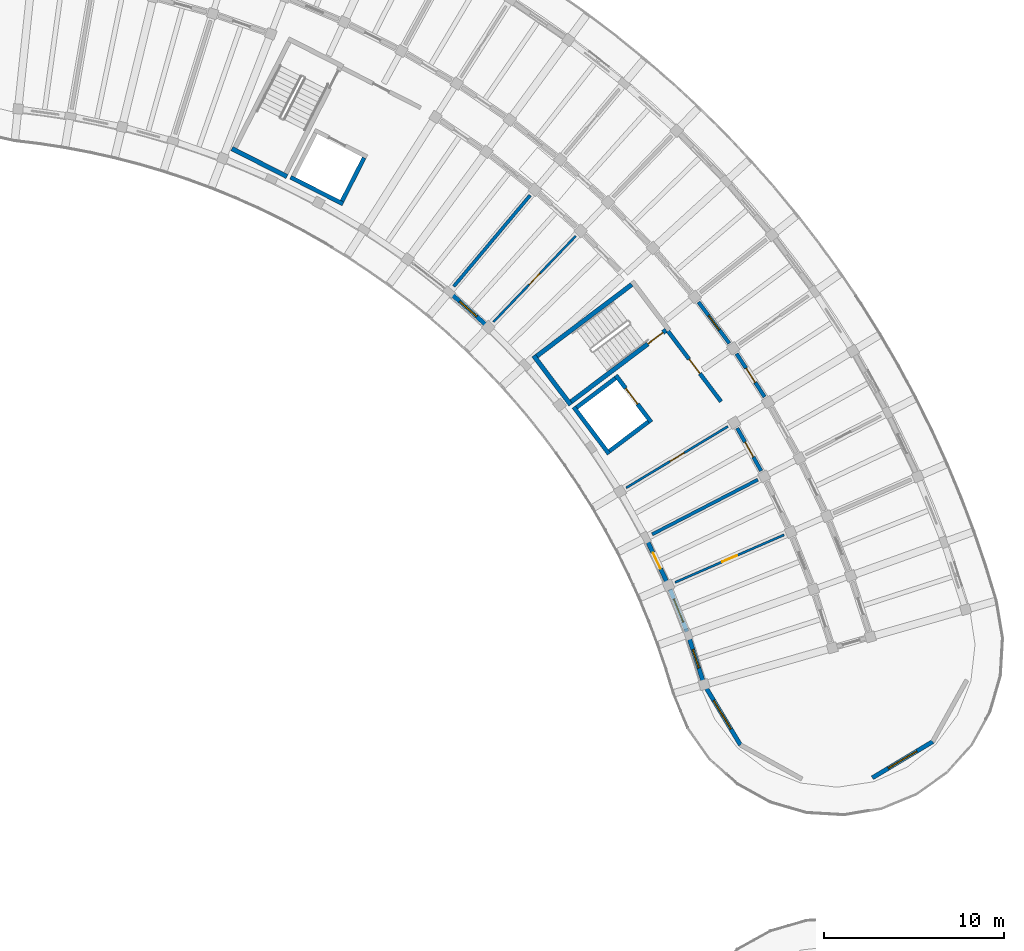
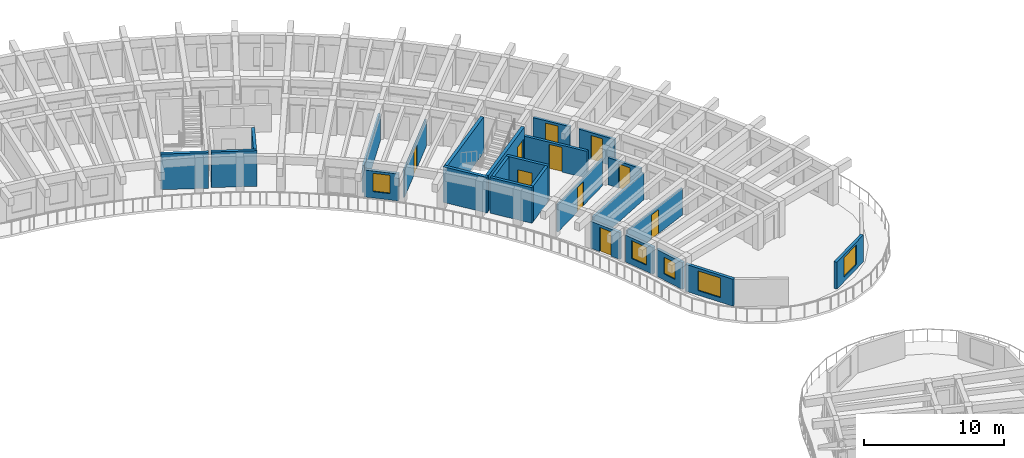
# One storey, part 56 of 81: 25 walls, 10 doors, 5 windows, 15 openings.
"""IFC4 building model written with IfcOpenShell, lengths in metres."""

from ifc_helpers import new_model, si_unit, direction, frame, frame_2d, origin, place, context, subcontext, project, spatial, rectangle, extrude, material, layer, layer_set, type_object, element, fill, save


model = new_model("IFC4")

# Units and contexts
model_context = context("Model", 3, precision=1e-05, world=origin(), true_north=direction((0.0, 1.0)))
body_context = subcontext(model_context, "Body", "Model", "MODEL_VIEW")
ifc_project = project(units=[si_unit("LENGTHUNIT", "METRE"), si_unit("AREAUNIT", "SQUARE_METRE"), si_unit("VOLUMEUNIT", "CUBIC_METRE"), si_unit("PLANEANGLEUNIT", "RADIAN"), si_unit("MASSUNIT", "GRAM", prefix="KILO")], contexts=[model_context])

# Site, building, storey
site_placement = place(None, origin())
site = spatial("IfcSite", under=ifc_project, at=site_placement, CompositionType="ELEMENT")
building_placement = place(site_placement, origin())
building = spatial("IfcBuilding", under=site, at=building_placement, Name="Tanwirah Colonnade Gardens", CompositionType="ELEMENT")
storey_placement = place(building_placement, frame((0.0, 0.0, 8.840087890625)))
storey = spatial("IfcBuildingStorey", under=building, at=storey_placement, Name="L02", CompositionType="ELEMENT", Elevation=8.840087890625)

# Wall, opening, window
ifc_material_1 = material(Name="Limestone architectural precast concrete C40/50", Category="masonry")
ifc_layer_1 = layer(ifc_material_1, 0.239990234375)
ifc_layer_set_1 = layer_set([ifc_layer_1], Name="Limestone architectural precast concrete C40/50")
wall_type_1 = type_object("IfcWallType", Name="EW-PC240", PredefinedType="SOLIDWALL", material=ifc_layer_set_1)
wall_1_placement = place(storey_placement, frame((163.65283203125, 72.685302734375, 0.0), z_axis=(0.0, 0.0, 1.0), x_axis=(-0.30716379336, 0.951656662903, 0.0)))
wall_1 = element("IfcWall", 1, at=wall_1_placement, inside=storey, type_object=wall_type_1, Name="Block B L02 IN Precast Facade Wall 0", PredefinedType="SOLIDWALL", context=body_context, shape_type="SweptSolid", body=[
    extrude(rectangle(XDim=2.525146484375, YDim=0.239990234375, at=frame_2d((1.2626953125, 0.0))), origin(), (0.0, 0.0, 1.0), 2.35498046875),
])
opening_1_placement = place(wall_1_placement, frame((0.72265625, 0.0, 0.550048828125)))
opening_1 = element("IfcOpeningElement", 2, at=opening_1_placement, cuts=wall_1, Name="Opening WIN-T15", PredefinedType="OPENING", context=body_context, shape_type="SweptSolid", body=[
    extrude(rectangle(XDim=1.080078125, YDim=1.449951171875, at=frame_2d((0.5400390625, 0.72509765625))), frame((0.0, 0.1298828125, 0.0), z_axis=(0.0, -1.0, 0.0), x_axis=(1.0, 0.0, 0.0)), (0.0, 0.0, 1.0), 0.260009765625),
])
ifc_material_2 = material(Name="Thermally broken bronze aluminium and solar low-E double glazing", Category="aluminium")
window_type_1 = type_object("IfcWindowType", Name="WIN-T15", PartitioningType="SINGLE_PANEL", PredefinedType="WINDOW", material=ifc_material_2)
window_1_placement = place(opening_1_placement, origin())
window_1 = element("IfcWindow", 3, at=window_1_placement, inside=storey, type_object=window_type_1, Name="Facade window B-L02-IN-00", OverallHeight=1.449951171875, OverallWidth=1.080078125, PartitioningType="SINGLE_PANEL", PredefinedType="WINDOW", context=body_context, shape_type="SweptSolid", body=[
    extrude(rectangle(XDim=1.080078125, YDim=1.449951171875, at=frame_2d((0.5400390625, 0.72509765625))), frame((0.0, 0.030029296875, 0.0), z_axis=(0.0, -1.0, 0.0), x_axis=(1.0, 0.0, 0.0)), (0.0, 0.0, 1.0), 0.06005859375),
])
fill(opening_1, window_1)

wall_2_placement = place(storey_placement, frame((162.768798828125, 75.389404296875, 0.0), z_axis=(0.0, 0.0, 1.0), x_axis=(-0.369122600107, 0.92938071106, 0.0)))
wall_2 = element("IfcWall", 4, at=wall_2_placement, inside=storey, type_object=wall_type_1, Name="Block B L02 IN Precast Facade Wall 1", PredefinedType="SOLIDWALL", context=body_context, shape_type="SweptSolid", body=[
    extrude(rectangle(XDim=2.525146484375, YDim=0.239990234375, at=frame_2d((1.2626953125, 0.0))), origin(), (0.0, 0.0, 1.0), 2.35498046875),
])
opening_2_placement = place(wall_2_placement, frame((0.572509765625, 0.0, 0.550048828125)))
opening_2 = element("IfcOpeningElement", 5, at=opening_2_placement, cuts=wall_2, Name="Opening WIN-T18", PredefinedType="OPENING", context=body_context, shape_type="SweptSolid", body=[
    extrude(rectangle(XDim=1.3798828125, YDim=1.56005859375, at=frame_2d((0.68994140625, 0.780029296875))), frame((0.0, 0.1298828125, 0.0), z_axis=(0.0, -1.0, 0.0), x_axis=(1.0, 0.0, 0.0)), (0.0, 0.0, 1.0), 0.260009765625),
])
window_type_2 = type_object("IfcWindowType", Name="WIN-T18", PartitioningType="DOUBLE_PANEL_VERTICAL", PredefinedType="WINDOW", material=ifc_material_2)
window_2_placement = place(opening_2_placement, origin())
window_2 = element("IfcWindow", 6, at=window_2_placement, inside=storey, type_object=window_type_2, Name="Facade window B-L02-IN-01", OverallHeight=1.56005859375, OverallWidth=1.3798828125, PartitioningType="SINGLE_PANEL", PredefinedType="WINDOW", context=body_context, shape_type="SweptSolid", body=[
    extrude(rectangle(XDim=1.3798828125, YDim=1.56005859375, at=frame_2d((0.68994140625, 0.780029296875))), frame((0.0, 0.030029296875, 0.0), z_axis=(0.0, -1.0, 0.0), x_axis=(1.0, 0.0, 0.0)), (0.0, 0.0, 1.0), 0.06005859375),
])
fill(opening_2, window_2)

# Wall, opening, door
wall_3_placement = place(storey_placement, frame((161.640869140625, 78.18505859375, 0.0), z_axis=(0.0, 0.0, 1.0), x_axis=(-0.429610836066, 0.903014135844, 0.0)))
wall_3 = element("IfcWall", 7, at=wall_3_placement, inside=storey, type_object=wall_type_1, Name="Block B L02 IN Precast Facade Wall 2", PredefinedType="SOLIDWALL", context=body_context, shape_type="SweptSolid", body=[
    extrude(rectangle(XDim=2.525390625, YDim=0.239990234375, at=frame_2d((1.2626953125, 0.0))), origin(), (0.0, 0.0, 1.0), 2.35498046875),
])
opening_3_placement = place(wall_3_placement, frame((0.772705078125, 0.0, 0.0)))
opening_3 = element("IfcOpeningElement", 8, at=opening_3_placement, cuts=wall_3, Name="Opening L02-ED076", PredefinedType="OPENING", context=body_context, shape_type="SweptSolid", body=[
    extrude(rectangle(XDim=0.97998046875, YDim=2.1201171875, at=frame_2d((0.489990234375, 1.06005859375))), frame((0.0, 0.1298828125, 0.0), z_axis=(0.0, -1.0, 0.0), x_axis=(1.0, 0.0, 0.0)), (0.0, 0.0, 1.0), 0.260009765625),
])
ifc_material_3 = material(Name="Bronze aluminium glazed balcony door", Category="aluminium")
door_type_1 = type_object("IfcDoorType", Name="ED-BAL098", OperationType="NOTDEFINED", PredefinedType="DOOR", material=ifc_material_3)
door_1_placement = place(opening_3_placement, origin())
door_1 = element("IfcDoor", 9, at=door_1_placement, inside=storey, type_object=door_type_1, Name="Balcony glazed door L02-ED076", OperationType="SINGLE_SWING_LEFT", OverallHeight=2.1201171875, OverallWidth=0.97998046875, PredefinedType="DOOR", context=body_context, shape_type="SweptSolid", body=[
    extrude(rectangle(XDim=0.97998046875, YDim=2.1201171875, at=frame_2d((0.489990234375, 1.06005859375))), frame((0.0, 0.02490234375, 0.0), z_axis=(0.0, -1.0, 0.0), x_axis=(1.0, 0.0, 0.0)), (0.0, 0.0, 1.0), 0.050048828125),
])
fill(opening_3, door_1)

# Wall, opening, window
wall_4_placement = place(storey_placement, frame((151.571044921875, 92.457763671875, 0.0), z_axis=(0.0, 0.0, 1.0), x_axis=(-0.744489903584, 0.667633719536, 0.0)))
wall_4 = element("IfcWall", 10, at=wall_4_placement, inside=storey, type_object=wall_type_1, Name="Block B L02 IN Precast Facade Wall 8", PredefinedType="SOLIDWALL", context=body_context, shape_type="SweptSolid", body=[
    extrude(rectangle(XDim=2.525390625, YDim=0.239990234375, at=frame_2d((1.2626953125, 0.0))), origin(), (0.0, 0.0, 1.0), 2.35498046875),
])
opening_4_placement = place(wall_4_placement, frame((0.6376953125, 0.0, 0.550048828125)))
opening_4 = element("IfcOpeningElement", 11, at=opening_4_placement, cuts=wall_4, Name="Opening WIN-T03", PredefinedType="OPENING", context=body_context, shape_type="SweptSolid", body=[
    extrude(rectangle(XDim=1.25, YDim=1.60009765625, at=frame_2d((0.625, 0.800048828125))), frame((0.0, 0.1298828125, 0.0), z_axis=(0.0, -1.0, 0.0), x_axis=(1.0, 0.0, 0.0)), (0.0, 0.0, 1.0), 0.260009765625),
])
window_type_3 = type_object("IfcWindowType", Name="WIN-T03", PartitioningType="SINGLE_PANEL", PredefinedType="WINDOW", material=ifc_material_2)
window_3_placement = place(opening_4_placement, origin())
window_3 = element("IfcWindow", 12, at=window_3_placement, inside=storey, type_object=window_type_3, Name="Facade window B-L02-IN-08", OverallHeight=1.60009765625, OverallWidth=1.25, PartitioningType="SINGLE_PANEL", PredefinedType="WINDOW", context=body_context, shape_type="SweptSolid", body=[
    extrude(rectangle(XDim=1.25, YDim=1.60009765625, at=frame_2d((0.625, 0.800048828125))), frame((0.0, 0.030029296875, 0.0), z_axis=(0.0, -1.0, 0.0), x_axis=(1.0, 0.0, 0.0)), (0.0, 0.0, 1.0), 0.06005859375),
])
fill(opening_4, window_3)

wall_5_placement = place(storey_placement, frame((176.41650390625, 69.28857421875, 0.0), z_axis=(0.0, 0.0, 1.0), x_axis=(-0.85715098885, -0.515065221417, 0.0)))
wall_5 = element("IfcWall", 13, at=wall_5_placement, inside=storey, type_object=wall_type_1, Name="Block B L02 START Rounded End Wall 2", PredefinedType="SOLIDWALL", context=body_context, shape_type="SweptSolid", body=[
    extrude(rectangle(XDim=3.908203125, YDim=0.239990234375, at=frame_2d((1.9541015625, 0.0))), origin(), (0.0, 0.0, 1.0), 2.35498046875),
])
opening_5_placement = place(wall_5_placement, frame((1.029052734375, 0.0, 0.39990234375)))
opening_5 = element("IfcOpeningElement", 14, at=opening_5_placement, cuts=wall_5, Name="Opening WIN-END1", PredefinedType="OPENING", context=body_context, shape_type="SweptSolid", body=[
    extrude(rectangle(XDim=1.85009765625, YDim=1.719970703125, at=frame_2d((0.925048828125, 0.85986328125))), frame((0.0, 0.1298828125, 0.0), z_axis=(0.0, -1.0, 0.0), x_axis=(1.0, 0.0, 0.0)), (0.0, 0.0, 1.0), 0.260009765625),
])
window_type_4 = type_object("IfcWindowType", Name="WIN-END1", PartitioningType="TRIPLE_PANEL_VERTICAL", PredefinedType="WINDOW", material=ifc_material_2)
window_4_placement = place(opening_5_placement, origin())
window_4 = element("IfcWindow", 15, at=window_4_placement, inside=storey, type_object=window_type_4, Name="Rounded corner window B-L02-START-2", OverallHeight=1.719970703125, OverallWidth=1.85009765625, PartitioningType="SINGLE_PANEL", PredefinedType="WINDOW", context=body_context, shape_type="SweptSolid", body=[
    extrude(rectangle(XDim=1.85009765625, YDim=1.719970703125, at=frame_2d((0.925048828125, 0.85986328125))), frame((0.0, 0.030029296875, 0.0), z_axis=(0.0, -1.0, 0.0), x_axis=(1.0, 0.0, 0.0)), (0.0, 0.0, 1.0), 0.06005859375),
])
fill(opening_5, window_4)

wall_6_placement = place(storey_placement, frame((165.740966796875, 69.10205078125, 0.0), z_axis=(0.0, 0.0, 1.0), x_axis=(-0.515037642827, 0.857167560324, 0.0)))
wall_6 = element("IfcWall", 16, at=wall_6_placement, inside=storey, type_object=wall_type_1, Name="Block B L02 START Rounded End Wall 5", PredefinedType="SOLIDWALL", context=body_context, shape_type="SweptSolid", body=[
    extrude(rectangle(XDim=3.908447265625, YDim=0.239990234375, at=frame_2d((1.9541015625, 0.0))), origin(), (0.0, 0.0, 1.0), 2.35498046875),
])
opening_6_placement = place(wall_6_placement, frame((1.029052734375, 0.0, 0.39990234375)))
opening_6 = element("IfcOpeningElement", 17, at=opening_6_placement, cuts=wall_6, Name="Opening WIN-END1", PredefinedType="OPENING", context=body_context, shape_type="SweptSolid", body=[
    extrude(rectangle(XDim=1.85009765625, YDim=1.719970703125, at=frame_2d((0.925048828125, 0.85986328125))), frame((0.0, 0.1298828125, 0.0), z_axis=(0.0, -1.0, 0.0), x_axis=(1.0, 0.0, 0.0)), (0.0, 0.0, 1.0), 0.260009765625),
])
window_5_placement = place(opening_6_placement, origin())
window_5 = element("IfcWindow", 18, at=window_5_placement, inside=storey, type_object=window_type_4, Name="Rounded corner window B-L02-START-5", OverallHeight=1.719970703125, OverallWidth=1.85009765625, PartitioningType="SINGLE_PANEL", PredefinedType="WINDOW", context=body_context, shape_type="SweptSolid", body=[
    extrude(rectangle(XDim=1.85009765625, YDim=1.719970703125, at=frame_2d((0.925048828125, 0.85986328125))), frame((0.0, 0.030029296875, 0.0), z_axis=(0.0, -1.0, 0.0), x_axis=(1.0, 0.0, 0.0)), (0.0, 0.0, 1.0), 0.06005859375),
])
fill(opening_6, window_5)

# Wall, opening, door
ifc_material_4 = material(Name="Precast concrete C40/50", Category="concrete")
ifc_layer_2 = layer(ifc_material_4, 0.205078125)
ifc_layer_set_2 = layer_set([ifc_layer_2], Name="Precast concrete C40/50")
wall_type_2 = type_object("IfcWallType", Name="IW-CORR205", PredefinedType="PARTITIONING", material=ifc_layer_set_2)
wall_7_placement = place(storey_placement, frame((166.89013671875, 84.313232421875, 0.0), z_axis=(0.0, 0.0, 1.0), x_axis=(-0.48819576874, 0.872734147025, 0.0)))
wall_7 = element("IfcWall", 19, at=wall_7_placement, inside=storey, type_object=wall_type_2, Name="Block B L02 IN Corridor Wall 3", PredefinedType="PARTITIONING", context=body_context, shape_type="SweptSolid", body=[
    extrude(rectangle(XDim=2.718017578125, YDim=0.205078125, at=frame_2d((1.35888671875, 0.0))), origin(), (0.0, 0.0, 1.0), 2.369873046875),
])
opening_7_placement = place(wall_7_placement, frame((0.884033203125, 0.0, 0.0)))
opening_7 = element("IfcOpeningElement", 20, at=opening_7_placement, cuts=wall_7, Name="Opening L02-AD885", PredefinedType="OPENING", context=body_context, shape_type="SweptSolid", body=[
    extrude(rectangle(XDim=0.949951171875, YDim=2.1298828125, at=frame_2d((0.47509765625, 1.06494140625))), frame((0.0, 0.112548828125, 0.0), z_axis=(0.0, -1.0, 0.0), x_axis=(1.0, 0.0, 0.0)), (0.0, 0.0, 1.0), 0.22509765625),
])
ifc_material_5 = material(Name="Solid oak fire-resisting apartment entrance door")
door_type_2 = type_object("IfcDoorType", Name="ID-FLT095", OperationType="NOTDEFINED", PredefinedType="DOOR", material=ifc_material_5)
door_2_placement = place(opening_7_placement, origin())
door_2 = element("IfcDoor", 21, at=door_2_placement, inside=storey, type_object=door_type_2, Name="Apartment corridor door L02-AD885", OperationType="SINGLE_SWING_LEFT", OverallHeight=2.1298828125, OverallWidth=0.949951171875, PredefinedType="DOOR", context=body_context, shape_type="SweptSolid", body=[
    extrude(rectangle(XDim=0.949951171875, YDim=2.1298828125, at=frame_2d((0.47509765625, 1.06494140625))), frame((0.0, 0.02490234375, 0.0), z_axis=(0.0, -1.0, 0.0), x_axis=(1.0, 0.0, 0.0)), (0.0, 0.0, 1.0), 0.050048828125),
])
fill(opening_7, door_2)

wall_8_placement = place(storey_placement, frame((167.085205078125, 88.421142578125, 0.0), z_axis=(0.0, 0.0, 1.0), x_axis=(-0.544643612649, 0.838667595178, 0.0)))
wall_8 = element("IfcWall", 22, at=wall_8_placement, inside=storey, type_object=wall_type_2, Name="Block B L02 OUT Corridor Wall 4", PredefinedType="PARTITIONING", context=body_context, shape_type="SweptSolid", body=[
    extrude(rectangle(XDim=2.863037109375, YDim=0.205078125, at=frame_2d((1.431640625, 0.0))), origin(), (0.0, 0.0, 1.0), 2.369873046875),
])
opening_8_placement = place(wall_8_placement, frame((0.966552734375, 0.0, 0.0)))
opening_8 = element("IfcOpeningElement", 23, at=opening_8_placement, cuts=wall_8, Name="Opening L02-AD887", PredefinedType="OPENING", context=body_context, shape_type="SweptSolid", body=[
    extrude(rectangle(XDim=0.929931640625, YDim=2.1201171875, at=frame_2d((0.46484375, 1.06005859375))), frame((0.0, 0.112548828125, 0.0), z_axis=(0.0, -1.0, 0.0), x_axis=(1.0, 0.0, 0.0)), (0.0, 0.0, 1.0), 0.22509765625),
])
door_type_3 = type_object("IfcDoorType", Name="ID-FLT093", OperationType="NOTDEFINED", PredefinedType="DOOR", material=ifc_material_5)
door_3_placement = place(opening_8_placement, origin())
door_3 = element("IfcDoor", 24, at=door_3_placement, inside=storey, type_object=door_type_3, Name="Apartment corridor door L02-AD887", OperationType="SINGLE_SWING_LEFT", OverallHeight=2.1201171875, OverallWidth=0.929931640625, PredefinedType="DOOR", context=body_context, shape_type="SweptSolid", body=[
    extrude(rectangle(XDim=0.929931640625, YDim=2.1201171875, at=frame_2d((0.46484375, 1.06005859375))), frame((0.0, 0.02490234375, 0.0), z_axis=(0.0, -1.0, 0.0), x_axis=(1.0, 0.0, 0.0)), (0.0, 0.0, 1.0), 0.050048828125),
])
fill(opening_8, door_3)

wall_9_placement = place(storey_placement, frame((165.125732421875, 91.396240234375, 0.0), z_axis=(0.0, 0.0, 1.0), x_axis=(-0.598757763243, 0.800930172335, 0.0)))
wall_9 = element("IfcWall", 25, at=wall_9_placement, inside=storey, type_object=wall_type_2, Name="Block B L02 OUT Corridor Wall 5", PredefinedType="PARTITIONING", context=body_context, shape_type="SweptSolid", body=[
    extrude(rectangle(XDim=2.86328125, YDim=0.205078125, at=frame_2d((1.431640625, 0.0))), origin(), (0.0, 0.0, 1.0), 2.369873046875),
])
opening_9_placement = place(wall_9_placement, frame((0.9365234375, 0.0, 0.0)))
opening_9 = element("IfcOpeningElement", 26, at=opening_9_placement, cuts=wall_9, Name="Opening L02-AD889", PredefinedType="OPENING", context=body_context, shape_type="SweptSolid", body=[
    extrude(rectangle(XDim=0.989990234375, YDim=2.159912109375, at=frame_2d((0.4951171875, 1.080078125))), frame((0.0, 0.112548828125, 0.0), z_axis=(0.0, -1.0, 0.0), x_axis=(1.0, 0.0, 0.0)), (0.0, 0.0, 1.0), 0.22509765625),
])
door_type_4 = type_object("IfcDoorType", Name="ID-FLT099", OperationType="NOTDEFINED", PredefinedType="DOOR", material=ifc_material_5)
door_4_placement = place(opening_9_placement, origin())
door_4 = element("IfcDoor", 27, at=door_4_placement, inside=storey, type_object=door_type_4, Name="Apartment corridor door L02-AD889", OperationType="SINGLE_SWING_RIGHT", OverallHeight=2.159912109375, OverallWidth=0.989990234375, PredefinedType="DOOR", context=body_context, shape_type="SweptSolid", body=[
    extrude(rectangle(XDim=0.989990234375, YDim=2.159912109375, at=frame_2d((0.4951171875, 1.080078125))), frame((0.0, 0.02490234375, 0.0), z_axis=(0.0, -1.0, 0.0), x_axis=(1.0, 0.0, 0.0)), (0.0, 0.0, 1.0), 0.050048828125),
])
fill(opening_9, door_4)

# Walls
ifc_layer_3 = layer(ifc_material_4, 0.18505859375)
ifc_layer_set_3 = layer_set([ifc_layer_3], Name="Precast concrete C40/50")
wall_type_3 = type_object("IfcWallType", Name="IW-DEM185", PredefinedType="PARTITIONING", material=ifc_layer_set_3)
wall_10_placement = place(storey_placement, frame((160.842529296875, 80.793701171875, 0.0), z_axis=(0.0, 0.0, 1.0), x_axis=(0.888346696024, 0.459173330741, 0.0)))
element("IfcWall", 28, at=wall_10_placement, inside=storey, type_object=wall_type_3, Name="Block B L02 Inner Radial Partition 2", PredefinedType="PARTITIONING", context=body_context, shape_type="SweptSolid", body=[
    extrude(rectangle(XDim=6.599853515625, YDim=0.18505859375, at=frame_2d((3.2998046875, 0.0))), origin(), (0.0, 0.0, 1.0), 2.369873046875),
])
wall_11_placement = place(storey_placement, frame((149.8291015625, 94.55712890625, 0.0), z_axis=(0.0, 0.0, 1.0), x_axis=(0.642789470807, 0.766042881449, 0.0)))
element("IfcWall", 29, at=wall_11_placement, inside=storey, type_object=wall_type_3, Name="Block B L02 Inner Radial Partition 8", PredefinedType="PARTITIONING", context=body_context, shape_type="SweptSolid", body=[
    extrude(rectangle(XDim=6.60009765625, YDim=0.18505859375, at=frame_2d((3.300048828125, 0.0))), origin(), (0.0, 0.0, 1.0), 2.369873046875),
])

# Wall, opening, door
ifc_material_6 = material(Name="Autoclaved aerated masonry blockwork", Category="masonry")
ifc_layer_4 = layer(ifc_material_6, 0.219970703125)
ifc_layer_set_4 = layer_set([ifc_layer_4], Name="Autoclaved aerated masonry blockwork")
wall_type_4 = type_object("IfcWallType", Name="IW-FFL220", PredefinedType="PARTITIONING", material=ifc_layer_set_4)
wall_12_placement = place(storey_placement, frame((161.7177734375, 92.072509765625, 0.0), z_axis=(0.0, 0.0, 1.0), x_axis=(0.601792209296, -0.79865270101, 0.0)))
wall_12 = element("IfcWall", 30, at=wall_12_placement, inside=storey, type_object=wall_type_4, Name="CORE-B1 L02 Enclosed Lobby Fire Wall", PredefinedType="PARTITIONING", context=body_context, shape_type="SweptSolid", body=[
    extrude(rectangle(XDim=4.89990234375, YDim=0.219970703125, at=frame_2d((2.449951171875, 0.0))), origin(), (0.0, 0.0, 1.0), 2.33984375),
])
opening_10_placement = place(wall_12_placement, frame((1.949951171875, 0.0, 0.0)))
opening_10 = element("IfcOpeningElement", 31, at=opening_10_placement, cuts=wall_12, Name="Opening L02-LD082", PredefinedType="OPENING", context=body_context, shape_type="SweptSolid", body=[
    extrude(rectangle(XDim=1.0, YDim=2.14990234375, at=frame_2d((0.5, 1.074951171875))), frame((0.0, 0.119873046875, 0.0), z_axis=(0.0, -1.0, 0.0), x_axis=(1.0, 0.0, 0.0)), (0.0, 0.0, 1.0), 0.239990234375),
])
ifc_material_7 = material(Name="Acoustic fire-resisting lobby door")
door_type_5 = type_object("IfcDoorType", Name="ID-FFL100", OperationType="NOTDEFINED", PredefinedType="DOOR", material=ifc_material_7)
door_5_placement = place(opening_10_placement, origin())
door_5 = element("IfcDoor", 32, at=door_5_placement, inside=storey, type_object=door_type_5, Name="CORE-B1 L02 Lobby Fire Door L02-LD082", OperationType="SINGLE_SWING_LEFT", OverallHeight=2.14990234375, OverallWidth=1.0, PredefinedType="DOOR", context=body_context, shape_type="SweptSolid", body=[
    extrude(rectangle(XDim=1.0, YDim=2.14990234375, at=frame_2d((0.5, 1.074951171875))), frame((0.0, 0.02490234375, 0.0), z_axis=(0.0, -1.0, 0.0), x_axis=(1.0, 0.0, 0.0)), (0.0, 0.0, 1.0), 0.050048828125),
])
fill(opening_10, door_5)

ifc_material_8 = material(Name="Moisture-resistant gypsum stud partition")
ifc_layer_5 = layer(ifc_material_8, 0.125)
ifc_layer_set_5 = layer_set([ifc_layer_5], Name="Moisture-resistant gypsum stud partition")
wall_type_5 = type_object("IfcWallType", Name="IW-INT125", PredefinedType="PARTITIONING", material=ifc_layer_set_5)
wall_13_placement = place(storey_placement, frame((162.11279296875, 78.123779296875, 0.0), z_axis=(0.0, 0.0, 1.0), x_axis=(0.916668515796, 0.399648385645, 0.0)))
wall_13 = element("IfcWall", 33, at=wall_13_placement, inside=storey, type_object=wall_type_5, Name="Block B L02 Inner Radial Partition 1", PredefinedType="PARTITIONING", context=body_context, shape_type="SweptSolid", body=[
    extrude(rectangle(XDim=6.60009765625, YDim=0.125, at=frame_2d((3.300048828125, 0.0))), origin(), (0.0, 0.0, 1.0), 2.369873046875),
])
opening_11_placement = place(wall_13_placement, frame((2.85498046875, 0.0, 0.0)))
opening_11 = element("IfcOpeningElement", 34, at=opening_11_placement, cuts=wall_13, Name="Opening L02-RD880", PredefinedType="OPENING", context=body_context, shape_type="SweptSolid", body=[
    extrude(rectangle(XDim=0.889892578125, YDim=2.10009765625, at=frame_2d((0.44482421875, 1.050048828125))), frame((0.0, 0.072509765625, 0.0), z_axis=(0.0, -1.0, 0.0), x_axis=(1.0, 0.0, 0.0)), (0.0, 0.0, 1.0), 0.14501953125),
])
ifc_material_9 = material(Name="Painted hardwood bedroom door", Category="wood")
door_type_6 = type_object("IfcDoorType", Name="ID-RM089", OperationType="NOTDEFINED", PredefinedType="DOOR", material=ifc_material_9)
door_6_placement = place(opening_11_placement, origin())
door_6 = element("IfcDoor", 35, at=door_6_placement, inside=storey, type_object=door_type_6, Name="Internal apartment door L02-RD880", OperationType="SINGLE_SWING_LEFT", OverallHeight=2.10009765625, OverallWidth=0.889892578125, PredefinedType="DOOR", context=body_context, shape_type="SweptSolid", body=[
    extrude(rectangle(XDim=0.889892578125, YDim=2.10009765625, at=frame_2d((0.44482421875, 1.050048828125))), frame((0.0, 0.02490234375, 0.0), z_axis=(0.0, -1.0, 0.0), x_axis=(1.0, 0.0, 0.0)), (0.0, 0.0, 1.0), 0.050048828125),
])
fill(opening_11, door_6)

wall_14_placement = place(storey_placement, frame((159.399169921875, 83.3740234375, 0.0), z_axis=(0.0, 0.0, 1.0), x_axis=(0.85616819337, 0.516697227263, 0.0)))
wall_14 = element("IfcWall", 36, at=wall_14_placement, inside=storey, type_object=wall_type_5, Name="Block B L02 Inner Radial Partition 3", PredefinedType="PARTITIONING", context=body_context, shape_type="SweptSolid", body=[
    extrude(rectangle(XDim=6.599853515625, YDim=0.125, at=frame_2d((3.2998046875, 0.0))), origin(), (0.0, 0.0, 1.0), 2.369873046875),
])
opening_12_placement = place(wall_14_placement, frame((2.844970703125, 0.0, 0.0)))
opening_12 = element("IfcOpeningElement", 37, at=opening_12_placement, cuts=wall_14, Name="Opening L02-RD886", PredefinedType="OPENING", context=body_context, shape_type="SweptSolid", body=[
    extrude(rectangle(XDim=0.909912109375, YDim=2.10009765625, at=frame_2d((0.455078125, 1.050048828125))), frame((0.0, 0.072509765625, 0.0), z_axis=(0.0, -1.0, 0.0), x_axis=(1.0, 0.0, 0.0)), (0.0, 0.0, 1.0), 0.14501953125),
])
ifc_material_10 = material(Name="Painted hardwood internal room door", Category="wood")
door_type_7 = type_object("IfcDoorType", Name="ID-RM091", OperationType="NOTDEFINED", PredefinedType="DOOR", material=ifc_material_10)
door_7_placement = place(opening_12_placement, origin())
door_7 = element("IfcDoor", 38, at=door_7_placement, inside=storey, type_object=door_type_7, Name="Internal apartment door L02-RD886", OperationType="SINGLE_SWING_LEFT", OverallHeight=2.10009765625, OverallWidth=0.909912109375, PredefinedType="DOOR", context=body_context, shape_type="SweptSolid", body=[
    extrude(rectangle(XDim=0.909912109375, YDim=2.10009765625, at=frame_2d((0.455078125, 1.050048828125))), frame((0.0, 0.02490234375, 0.0), z_axis=(0.0, -1.0, 0.0), x_axis=(1.0, 0.0, 0.0)), (0.0, 0.0, 1.0), 0.050048828125),
])
fill(opening_12, door_7)

wall_15_placement = place(storey_placement, frame((152.030029296875, 92.5830078125, 0.0), z_axis=(0.0, 0.0, 1.0), x_axis=(0.691872422458, 0.722019771919, 0.0)))
wall_15 = element("IfcWall", 39, at=wall_15_placement, inside=storey, type_object=wall_type_5, Name="Block B L02 Inner Radial Partition 7", PredefinedType="PARTITIONING", context=body_context, shape_type="SweptSolid", body=[
    extrude(rectangle(XDim=6.60009765625, YDim=0.125, at=frame_2d((3.300048828125, 0.0))), origin(), (0.0, 0.0, 1.0), 2.369873046875),
])
opening_13_placement = place(wall_15_placement, frame((2.85498046875, 0.0, 0.0)))
opening_13 = element("IfcOpeningElement", 40, at=opening_13_placement, cuts=wall_15, Name="Opening L02-RD893", PredefinedType="OPENING", context=body_context, shape_type="SweptSolid", body=[
    extrude(rectangle(XDim=0.889892578125, YDim=2.10009765625, at=frame_2d((0.44482421875, 1.050048828125))), frame((0.0, 0.072509765625, 0.0), z_axis=(0.0, -1.0, 0.0), x_axis=(1.0, 0.0, 0.0)), (0.0, 0.0, 1.0), 0.14501953125),
])
door_8_placement = place(opening_13_placement, origin())
door_8 = element("IfcDoor", 41, at=door_8_placement, inside=storey, type_object=door_type_6, Name="Internal apartment door L02-RD893", OperationType="SINGLE_SWING_LEFT", OverallHeight=2.10009765625, OverallWidth=0.889892578125, PredefinedType="DOOR", context=body_context, shape_type="SweptSolid", body=[
    extrude(rectangle(XDim=0.889892578125, YDim=2.10009765625, at=frame_2d((0.44482421875, 1.050048828125))), frame((0.0, 0.02490234375, 0.0), z_axis=(0.0, -1.0, 0.0), x_axis=(1.0, 0.0, 0.0)), (0.0, 0.0, 1.0), 0.050048828125),
])
fill(opening_13, door_8)

# Walls
ifc_material_11 = material(Name="Concrete C45/55", Category="concrete")
ifc_layer_6 = layer(ifc_material_11, 0.25)
ifc_layer_set_6 = layer_set([ifc_layer_6], Name="Concrete C45/55")
wall_type_6 = type_object("IfcWallType", Name="SW-CORE250", PredefinedType="SHEAR", material=ifc_layer_set_6)
wall_16_placement = place(storey_placement, frame((159.706787109375, 94.657958984375, 0.0), z_axis=(0.0, 0.0, 1.0), x_axis=(-0.798639633744, -0.601809550782, 0.0)))
element("IfcWall", 42, at=wall_16_placement, inside=storey, type_object=wall_type_6, Name="CORE-B1 L02 Stair Shaft Shear Wall LEFT", PredefinedType="SHEAR", context=body_context, shape_type="SweptSolid", body=[
    extrude(rectangle(XDim=6.599853515625, YDim=0.25, at=frame_2d((3.2998046875, 0.0))), origin(), (0.0, 0.0, 1.0), 3.10986328125),
])
wall_17_placement = place(storey_placement, frame((154.2607421875, 90.710693359375, 0.0), z_axis=(0.0, 0.0, 1.0), x_axis=(0.601825826579, -0.798627368967, 0.0)))
element("IfcWall", 43, at=wall_17_placement, inside=storey, type_object=wall_type_6, Name="CORE-B1 L02 Stair Shaft Shear Wall FAR", PredefinedType="SHEAR", context=body_context, shape_type="SweptSolid", body=[
    extrude(rectangle(XDim=3.420166015625, YDim=0.25, at=frame_2d((1.7099609375, 0.0))), origin(), (0.0, 0.0, 1.0), 3.10986328125),
])

# Wall, opening, door
wall_18_placement = place(storey_placement, frame((161.614501953125, 92.126220703125, 0.0), z_axis=(0.0, 0.0, 1.0), x_axis=(-0.798639633744, -0.601809550782, 0.0)))
wall_18 = element("IfcWall", 44, at=wall_18_placement, inside=storey, type_object=wall_type_6, Name="CORE-B1 L02 Stair Shaft Shear Wall RIGHT", PredefinedType="SHEAR", context=body_context, shape_type="SweptSolid", body=[
    extrude(rectangle(XDim=6.599853515625, YDim=0.25, at=frame_2d((3.2998046875, 0.0))), origin(), (0.0, 0.0, 1.0), 3.10986328125),
])
opening_14_placement = place(wall_18_placement, frame((0.219970703125, 0.0, 0.0)))
opening_14 = element("IfcOpeningElement", 45, at=opening_14_placement, cuts=wall_18, Name="Opening L02-SD068", PredefinedType="OPENING", context=body_context, shape_type="SweptSolid", body=[
    extrude(rectangle(XDim=1.050048828125, YDim=2.14990234375, at=frame_2d((0.52490234375, 1.074951171875))), frame((0.0, 0.135009765625, 0.0), z_axis=(0.0, -1.0, 0.0), x_axis=(1.0, 0.0, 0.0)), (0.0, 0.0, 1.0), 0.27001953125),
])
ifc_material_12 = material(Name="Steel fire-resisting stair enclosure door", Category="steel")
door_type_8 = type_object("IfcDoorType", Name="ID-ST105", OperationType="NOTDEFINED", PredefinedType="DOOR", material=ifc_material_12)
door_9_placement = place(opening_14_placement, origin())
door_9 = element("IfcDoor", 46, at=door_9_placement, inside=storey, type_object=door_type_8, Name="CORE-B1 L02 Stair Fire Door L02-SD068", OperationType="SINGLE_SWING_LEFT", OverallHeight=2.14990234375, OverallWidth=1.050048828125, PredefinedType="DOOR", context=body_context, shape_type="SweptSolid", body=[
    extrude(rectangle(XDim=1.050048828125, YDim=2.14990234375, at=frame_2d((0.52490234375, 1.074951171875))), frame((0.0, 0.02490234375, 0.0), z_axis=(0.0, -1.0, 0.0), x_axis=(1.0, 0.0, 0.0)), (0.0, 0.0, 1.0), 0.050048828125),
])
fill(opening_14, door_9)

# Wall
wall_19_placement = place(storey_placement, frame((137.51953125, 102.203369140625, 0.0), z_axis=(0.0, 0.0, 1.0), x_axis=(0.891003540237, -0.453996356025, 0.0)))
element("IfcWall", 47, at=wall_19_placement, inside=storey, type_object=wall_type_6, Name="CORE-B2 L02 Stair Shaft Shear Wall FAR", PredefinedType="SHEAR", context=body_context, shape_type="SweptSolid", body=[
    extrude(rectangle(XDim=3.420166015625, YDim=0.25, at=frame_2d((1.7099609375, 0.0))), origin(), (0.0, 0.0, 1.0), 3.10986328125),
])

# Wall, opening, door
ifc_layer_7 = layer(ifc_material_11, 0.22998046875)
ifc_layer_set_7 = layer_set([ifc_layer_7], Name="Concrete C45/55")
wall_type_7 = type_object("IfcWallType", Name="SW-LIFT230", PredefinedType="SHEAR", material=ifc_layer_set_7)
wall_20_placement = place(storey_placement, frame((158.827392578125, 89.618896484375, 0.0), z_axis=(0.0, 0.0, 1.0), x_axis=(0.601819781152, -0.798631924615, 0.0)))
wall_20 = element("IfcWall", 48, at=wall_20_placement, inside=storey, type_object=wall_type_7, Name="CORE-B1 L02 Lift Shaft Wall FRONT", PredefinedType="SHEAR", context=body_context, shape_type="SweptSolid", body=[
    extrude(rectangle(XDim=3.260009765625, YDim=0.22998046875, at=frame_2d((1.6298828125, 0.0))), origin(), (0.0, 0.0, 1.0), 3.10986328125),
])
opening_15_placement = place(wall_20_placement, frame((0.89990234375, 0.0, 0.0)))
opening_15 = element("IfcOpeningElement", 49, at=opening_15_placement, cuts=wall_20, Name="Opening L02-LD-FL-B1", PredefinedType="OPENING", context=body_context, shape_type="SweptSolid", body=[
    extrude(rectangle(XDim=1.10009765625, YDim=2.14990234375, at=frame_2d((0.550048828125, 1.074951171875))), frame((0.0, 0.125, 0.0), z_axis=(0.0, -1.0, 0.0), x_axis=(1.0, 0.0, 0.0)), (0.0, 0.0, 1.0), 0.25),
])
ifc_material_13 = material(Name="Stainless steel sliding fire lift landing door", Category="steel")
door_type_9 = type_object("IfcDoorType", Name="LD-FF11", OperationType="DOUBLE_DOOR_SLIDING", PredefinedType="DOOR", material=ifc_material_13)
door_10_placement = place(opening_15_placement, origin())
door_10 = element("IfcDoor", 50, at=door_10_placement, inside=storey, type_object=door_type_9, Name="Lift FL-B1 L02 Sliding Landing Door", OperationType="DOUBLE_DOOR_SLIDING", OverallHeight=2.14990234375, OverallWidth=1.10009765625, PredefinedType="DOOR", context=body_context, shape_type="SweptSolid", body=[
    extrude(rectangle(XDim=1.10009765625, YDim=2.14990234375, at=frame_2d((0.550048828125, 1.074951171875))), frame((0.0, 0.02490234375, 0.0), z_axis=(0.0, -1.0, 0.0), x_axis=(1.0, 0.0, 0.0)), (0.0, 0.0, 1.0), 0.050048828125),
])
fill(opening_15, door_10)

# Walls
wall_21_placement = place(storey_placement, frame((156.4873046875, 87.855712890625, 0.0), z_axis=(0.0, 0.0, 1.0), x_axis=(0.601819781152, -0.798631924615, 0.0)))
element("IfcWall", 51, at=wall_21_placement, inside=storey, type_object=wall_type_7, Name="CORE-B1 L02 Lift Shaft Wall BACK", PredefinedType="SHEAR", context=body_context, shape_type="SweptSolid", body=[
    extrude(rectangle(XDim=3.260009765625, YDim=0.22998046875, at=frame_2d((1.6298828125, 0.0))), origin(), (0.0, 0.0, 1.0), 3.10986328125),
])
for number, where, z_axis, x_axis, name in (
    (52, (158.8046875, 89.4580078125, 0.0), (0.0, 0.0, 1.0), (-0.798608971494, -0.601850239387, 0.0), "CORE-B1 L02 Lift Shaft Wall SIDEA"),
    (53, (160.628173828125, 87.0380859375, 0.0), (0.0, 0.0, 1.0), (-0.798608971494, -0.601850239387, 0.0), "CORE-B1 L02 Lift Shaft Wall SIDEB"),
):
    element("IfcWall", number, at=place(storey_placement, frame(where, z_axis=z_axis, x_axis=x_axis)), inside=storey, type_object=wall_type_7, Name=name, PredefinedType="SHEAR", context=body_context, shape_type="SweptSolid", body=[
        extrude(rectangle(XDim=2.699951171875, YDim=0.22998046875, at=frame_2d((1.35009765625, 0.0))), origin(), (0.0, 0.0, 1.0), 3.10986328125),
    ])
wall_22_placement = place(storey_placement, frame((140.772216796875, 100.61328125, 0.0), z_axis=(0.0, 0.0, 1.0), x_axis=(0.891016635648, -0.453970654337, 0.0)))
element("IfcWall", 54, at=wall_22_placement, inside=storey, type_object=wall_type_7, Name="CORE-B2 L02 Lift Shaft Wall BACK", PredefinedType="SHEAR", context=body_context, shape_type="SweptSolid", body=[
    extrude(rectangle(XDim=3.260009765625, YDim=0.22998046875, at=frame_2d((1.6298828125, 0.0))), origin(), (0.0, 0.0, 1.0), 3.10986328125),
])
wall_23_placement = place(storey_placement, frame((144.8525390625, 101.693603515625, 0.0), z_axis=(0.0, 0.0, 1.0), x_axis=(-0.454036857101, -0.890982902414, 0.0)))
element("IfcWall", 55, at=wall_23_placement, inside=storey, type_object=wall_type_7, Name="CORE-B2 L02 Lift Shaft Wall SIDEB", PredefinedType="SHEAR", context=body_context, shape_type="SweptSolid", body=[
    extrude(rectangle(XDim=2.699951171875, YDim=0.22998046875, at=frame_2d((1.35009765625, 0.0))), origin(), (0.0, 0.0, 1.0), 3.10986328125),
])

save(model, "model.ifc")
